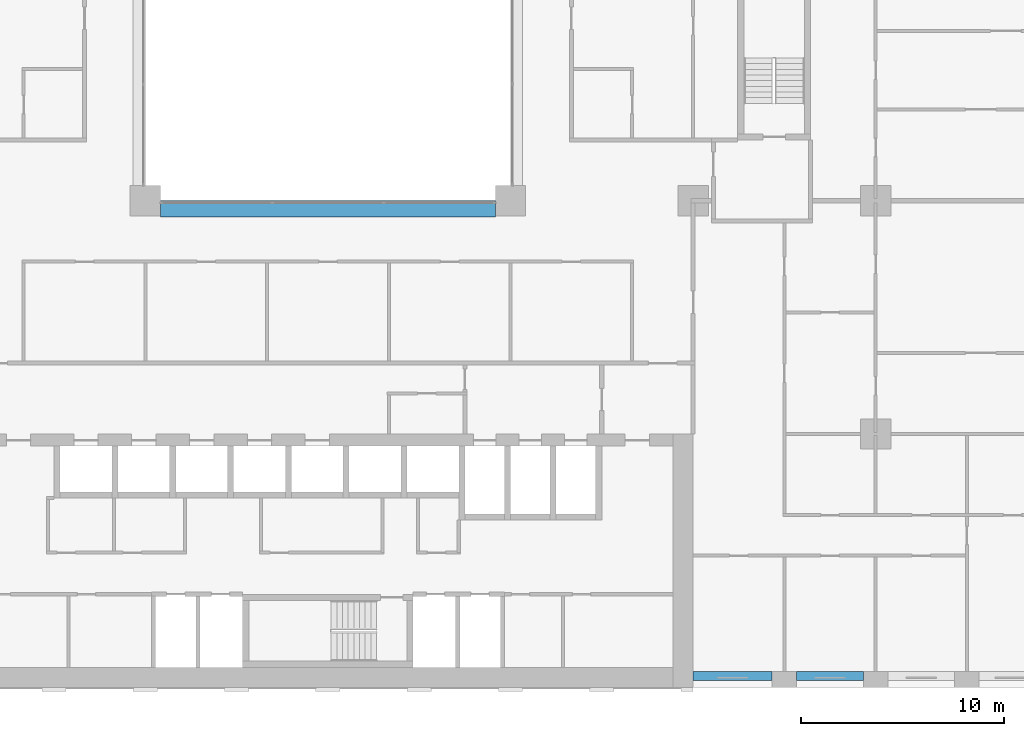
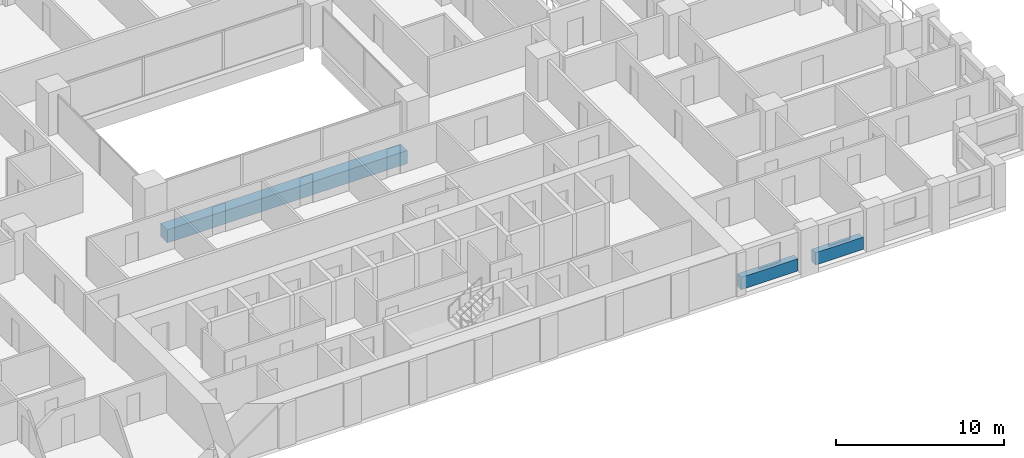
# One storey, part 3 of 19: 3 beams.
"""IFC4 building model written with IfcOpenShell, lengths in metres."""

from ifc_helpers import new_model, si_unit, direction, frame, origin, origin_2d, place, context, subcontext, project, spatial, rectangle, extrude, material, material_profile, profile_set, type_object, element, save


model = new_model("IFC4")

# Units and contexts
model_context = context("Model", 3, precision=1e-05, world=origin(), true_north=direction((0.0, 1.0)))
body_context = subcontext(model_context, "Body", "Model", "MODEL_VIEW")
ifc_project = project(units=[si_unit("LENGTHUNIT", "METRE"), si_unit("AREAUNIT", "SQUARE_METRE"), si_unit("VOLUMEUNIT", "CUBIC_METRE"), si_unit("PLANEANGLEUNIT", "RADIAN"), si_unit("MASSUNIT", "GRAM", prefix="KILO")], contexts=[model_context])

# Site, building, storey
site_placement = place(None, origin())
site = spatial("IfcSite", under=ifc_project, at=site_placement, CompositionType="ELEMENT")
building_placement = place(site_placement, origin())
building = spatial("IfcBuilding", under=site, at=building_placement, Name="Brigalow Station Residences", CompositionType="ELEMENT")
storey_placement = place(building_placement, frame((0.0, 0.0, 19.5)))
storey = spatial("IfcBuildingStorey", under=building, at=storey_placement, Name="L04", CompositionType="ELEMENT", Elevation=19.5)

# Beams
ifc_material_1 = material(Name="Concrete C65", Category="concrete")
ifc_material_profile_1 = material_profile(ifc_material_1, rectangle(XDim=0.800048828125, YDim=0.949951171875, at=origin_2d()), Name="RC800x950")
ifc_profile_set_1 = profile_set([ifc_material_profile_1], Name="Concrete C65")
beam_type_1 = type_object("IfcBeamType", Name="ATRIUM EDGE GIRDER OVER 13.5 M SPAN 800x950 C65", PredefinedType="BEAM", material=ifc_profile_set_1)
beam_1_placement = place(storey_placement, frame((27.75, 23.60009765625, -0.794921875), z_axis=(1.0, 0.0, 0.0), x_axis=(0.0, 1.0, 0.0)))
element("IfcBeam", 1, at=beam_1_placement, inside=storey, type_object=beam_type_1, Name="ATRIUM EDGE GIRDER C L04", PredefinedType="BEAM", context=body_context, shape_type="SweptSolid", body=[
    extrude(rectangle(XDim=0.800048828125, YDim=0.949951171875, at=origin_2d()), origin(), (0.0, 0.0, 1.0), 16.5),
])
ifc_material_2 = material(Name="Concrete C65", Category="concrete")
ifc_material_profile_2 = material_profile(ifc_material_2, rectangle(XDim=0.449951171875, YDim=0.89990234375, at=origin_2d()), Name="RC450x900")
ifc_profile_set_2 = profile_set([ifc_material_profile_2], Name="Concrete C65")
beam_type_2 = type_object("IfcBeamType", Name="SPANDREL BEAM 450x900 C65", PredefinedType="SPANDREL", material=ifc_profile_set_2)
beam_2_placement = place(storey_placement, frame((54.0, 0.574951171875, 0.449951171875), z_axis=(1.0, 0.0, 0.0), x_axis=(0.0, 1.0, 0.0)))
element("IfcBeam", 2, at=beam_2_placement, inside=storey, type_object=beam_type_2, Name="L04/spandrel/W-L04-5", PredefinedType="SPANDREL", context=body_context, shape_type="SweptSolid", body=[
    extrude(rectangle(XDim=0.449951171875, YDim=0.89990234375, at=origin_2d()), origin(), (0.0, 0.0, 1.0), 3.89990234375),
])
beam_3_placement = place(storey_placement, frame((59.10009765625, 0.574951171875, 0.449951171875), z_axis=(1.0, 0.0, 0.0), x_axis=(0.0, 1.0, 0.0)))
element("IfcBeam", 3, at=beam_3_placement, inside=storey, type_object=beam_type_2, Name="L04/spandrel/W-L04-6", PredefinedType="SPANDREL", context=body_context, shape_type="SweptSolid", body=[
    extrude(rectangle(XDim=0.449951171875, YDim=0.89990234375, at=origin_2d()), origin(), (0.0, 0.0, 1.0), 3.2998046875),
])

save(model, "model.ifc")
